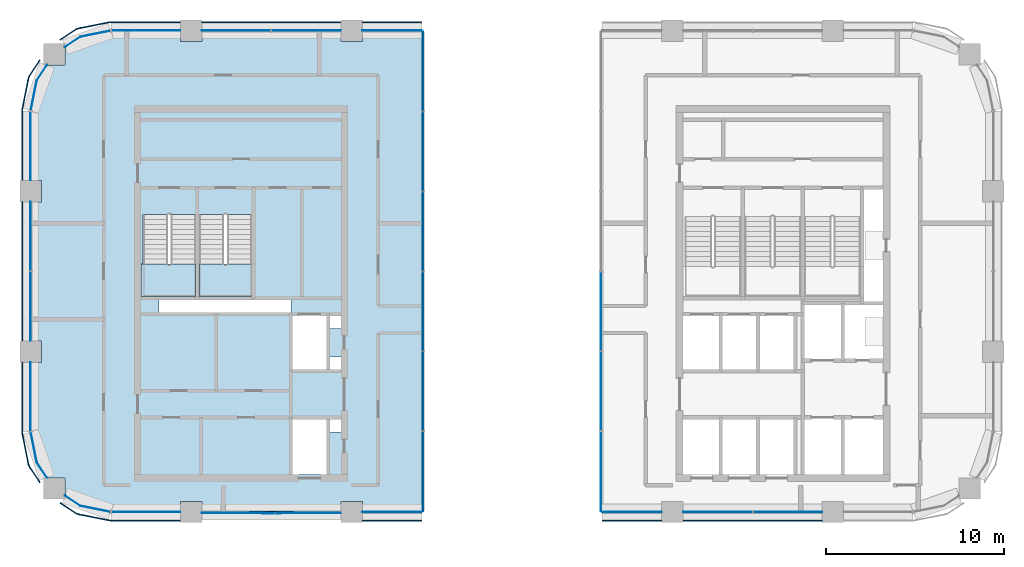
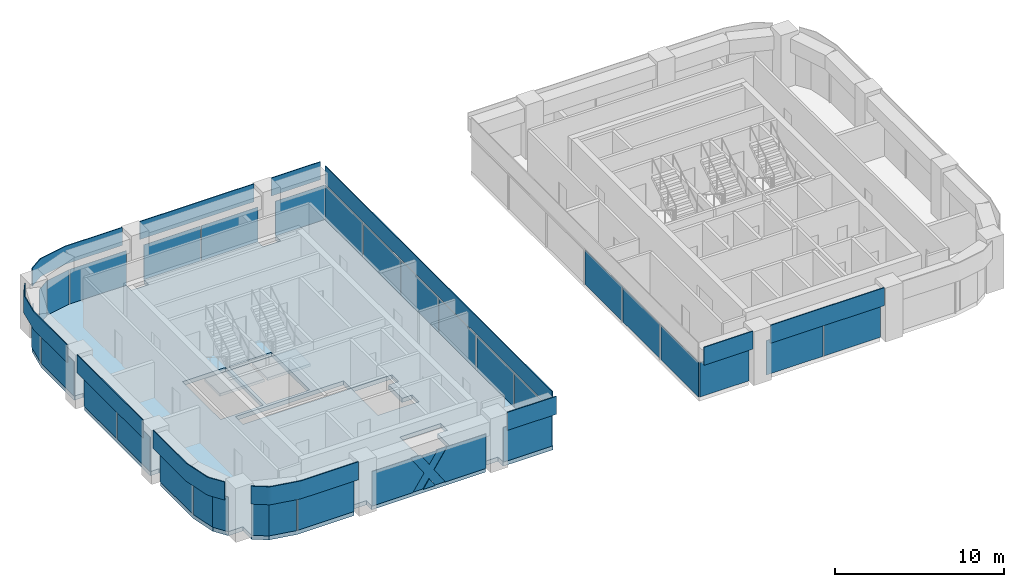
# One storey, part 4 of 12: 42 plates, 3 slabs, 15 elements without a shape of their own.
"""IFC4 building model written with IfcOpenShell, lengths in metres."""

from ifc_helpers import new_model, si_unit, direction, frame, origin, origin_2d, place, context, subcontext, project, spatial, polyline, rectangle, outline, extrude, material, layer, layer_set, type_object, element, aggregate, save


model = new_model("IFC4")

# Units and contexts
model_context = context("Model", 3, precision=1e-05, world=origin(), true_north=direction((0.0, 1.0)))
body_context = subcontext(model_context, "Body", "Model", "MODEL_VIEW")
ifc_project = project(units=[si_unit("LENGTHUNIT", "METRE"), si_unit("AREAUNIT", "SQUARE_METRE"), si_unit("VOLUMEUNIT", "CUBIC_METRE"), si_unit("PLANEANGLEUNIT", "RADIAN"), si_unit("MASSUNIT", "GRAM", prefix="KILO")], contexts=[model_context])

# Site, building, storey
site_placement = place(None, origin())
site = spatial("IfcSite", under=ifc_project, at=site_placement, CompositionType="ELEMENT")
building_placement = place(site_placement, origin())
building = spatial("IfcBuilding", under=site, at=building_placement, Name="Tessera Arch", CompositionType="ELEMENT")
storey_placement = place(building_placement, frame((0.0, 0.0, 207.199951171875)))
storey = spatial("IfcBuildingStorey", under=building, at=storey_placement, Name="L49", CompositionType="ELEMENT", Elevation=207.199951171875)

# Curtain wall, plate
ifc_material_1 = material(Name="CW1 curtain wall")
curtain_wall_type_1 = type_object("IfcCurtainWallType", Name="CW1 curtain wall", PredefinedType="NOTDEFINED", material=ifc_material_1)
curtain_wall_1_placement = place(storey_placement, origin())
curtain_wall_1 = element("IfcCurtainWall", 1, at=curtain_wall_1_placement, inside=storey, type_object=curtain_wall_type_1, Name="CW1 curtain wall S27.0/1 L49", PredefinedType="NOTDEFINED")
ifc_material_2 = material(Name="Clear low-e glass", Category="glass")
ifc_material_3 = material(Name="Clear low-e glass", Category="glass")
ifc_layer_1 = layer(ifc_material_3, 0.028076171875)
ifc_layer_set_1 = layer_set([ifc_layer_1], Name="CW1 glass panel")
plate_type_1 = type_object("IfcPlateType", Name="CW1 glass panel", PredefinedType="CURTAIN_PANEL", material=ifc_layer_set_1)
plate_1_placement = place(storey_placement, frame((20.27490234375, 27.0, 0.0), z_axis=(0.0, 0.0, 1.0), x_axis=(1.0, 0.0, 0.0)))
plate_1 = element("IfcPlate", 2, at=plate_1_placement, type_object=plate_type_1, material=ifc_material_2, Name="CW1 glass panel S27.0/1 1.1.1", PredefinedType="CURTAIN_PANEL", context=body_context, shape_type="SweptSolid", body=[
    extrude(rectangle(XDim=3.35009765625, YDim=0.028076171875, at=origin_2d()), origin(), (0.0, 0.0, 1.0), 2.5),
])

curtain_wall_2_placement = place(storey_placement, origin())
curtain_wall_2 = element("IfcCurtainWall", 3, at=curtain_wall_2_placement, inside=storey, type_object=curtain_wall_type_1, Name="CW1 curtain wall N54.0/0 L49", PredefinedType="NOTDEFINED")
plate_2_placement = place(storey_placement, frame((20.27490234375, 54.0, 0.0), z_axis=(0.0, 0.0, 1.0), x_axis=(-1.0, 0.0, 0.0)))
plate_2 = element("IfcPlate", 4, at=plate_2_placement, type_object=plate_type_1, material=ifc_material_2, Name="CW1 glass panel N54.0/0 1.1.1", PredefinedType="CURTAIN_PANEL", context=body_context, shape_type="SweptSolid", body=[
    extrude(rectangle(XDim=3.35009765625, YDim=0.028076171875, at=origin_2d()), origin(), (0.0, 0.0, 1.0), 2.5),
])

# Curtain wall, plates
curtain_wall_3_placement = place(storey_placement, origin())
curtain_wall_3 = element("IfcCurtainWall", 5, at=curtain_wall_3_placement, inside=storey, type_object=curtain_wall_type_1, Name="CW1 curtain wall N54.0/1 L49", PredefinedType="NOTDEFINED")
plate_3_placement = place(storey_placement, frame((15.465087890625, 54.0, 0.0), z_axis=(0.0, 0.0, 1.0), x_axis=(-1.0, 0.0, 0.0)))
plate_3 = element("IfcPlate", 6, at=plate_3_placement, type_object=plate_type_1, material=ifc_material_2, Name="CW1 glass panel N54.0/1 1.1.1", PredefinedType="CURTAIN_PANEL", context=body_context, shape_type="SweptSolid", body=[
    extrude(rectangle(XDim=3.8701171875, YDim=0.028076171875, at=origin_2d()), origin(), (0.0, 0.0, 1.0), 2.5),
])
plate_4_placement = place(storey_placement, frame((11.534912109375, 54.0, 0.0), z_axis=(0.0, 0.0, 1.0), x_axis=(-1.0, 0.0, 0.0)))
plate_4 = element("IfcPlate", 7, at=plate_4_placement, type_object=plate_type_1, material=ifc_material_2, Name="CW1 glass panel N54.0/1 1.2.1", PredefinedType="CURTAIN_PANEL", context=body_context, shape_type="SweptSolid", body=[
    extrude(rectangle(XDim=3.8701171875, YDim=0.028076171875, at=origin_2d()), origin(), (0.0, 0.0, 1.0), 2.5),
])

curtain_wall_4_placement = place(storey_placement, origin())
curtain_wall_4 = element("IfcCurtainWall", 8, at=curtain_wall_4_placement, inside=storey, type_object=curtain_wall_type_1, Name="CW1 curtain wall W0.27/1 L49", PredefinedType="NOTDEFINED")
plate_5_placement = place(storey_placement, frame((0.0, 42.465087890625, 0.0), z_axis=(0.0, 0.0, 1.0), x_axis=(0.0, -1.0, 0.0)))
plate_5 = element("IfcPlate", 9, at=plate_5_placement, type_object=plate_type_1, material=ifc_material_2, Name="CW1 glass panel W0.27/1 1.1.1", PredefinedType="CURTAIN_PANEL", context=body_context, shape_type="SweptSolid", body=[
    extrude(rectangle(XDim=3.8701171875, YDim=0.028076171875, at=origin_2d()), origin(), (0.0, 0.0, 1.0), 2.5),
])
plate_6_placement = place(storey_placement, frame((0.0, 38.534912109375, 0.0), z_axis=(0.0, 0.0, 1.0), x_axis=(0.0, -1.0, 0.0)))
plate_6 = element("IfcPlate", 10, at=plate_6_placement, type_object=plate_type_1, material=ifc_material_2, Name="CW1 glass panel W0.27/1 1.2.1", PredefinedType="CURTAIN_PANEL", context=body_context, shape_type="SweptSolid", body=[
    extrude(rectangle(XDim=3.8701171875, YDim=0.028076171875, at=origin_2d()), origin(), (0.0, 0.0, 1.0), 2.5),
])

# Curtain wall, plate
curtain_wall_5_placement = place(storey_placement, origin())
curtain_wall_5 = element("IfcCurtainWall", 11, at=curtain_wall_5_placement, inside=storey, type_object=curtain_wall_type_1, Name="CW1 curtain wall S27.32/0 L49", PredefinedType="NOTDEFINED")
plate_7_placement = place(storey_placement, frame((33.72509765625, 27.0, 0.0), z_axis=(0.0, 0.0, 1.0), x_axis=(1.0, 0.0, 0.0)))
plate_7 = element("IfcPlate", 12, at=plate_7_placement, type_object=plate_type_1, material=ifc_material_2, Name="CW1 glass panel S27.32/0 1.1.1", PredefinedType="CURTAIN_PANEL", context=body_context, shape_type="SweptSolid", body=[
    extrude(rectangle(XDim=3.35009765625, YDim=0.028076171875, at=origin_2d()), origin(), (0.0, 0.0, 1.0), 2.5),
])

# Curtain wall, plates
curtain_wall_6_placement = place(storey_placement, origin())
curtain_wall_6 = element("IfcCurtainWall", 13, at=curtain_wall_6_placement, inside=storey, type_object=curtain_wall_type_1, Name="CW1 curtain wall S27.32/1 L49", PredefinedType="NOTDEFINED")
plate_8_placement = place(storey_placement, frame((38.534912109375, 27.0, 0.0), z_axis=(0.0, 0.0, 1.0), x_axis=(1.0, 0.0, 0.0)))
plate_8 = element("IfcPlate", 14, at=plate_8_placement, type_object=plate_type_1, material=ifc_material_2, Name="CW1 glass panel S27.32/1 1.1.1", PredefinedType="CURTAIN_PANEL", context=body_context, shape_type="SweptSolid", body=[
    extrude(rectangle(XDim=3.8701171875, YDim=0.028076171875, at=origin_2d()), origin(), (0.0, 0.0, 1.0), 2.5),
])
plate_9_placement = place(storey_placement, frame((42.465087890625, 27.0, 0.0), z_axis=(0.0, 0.0, 1.0), x_axis=(1.0, 0.0, 0.0)))
plate_9 = element("IfcPlate", 15, at=plate_9_placement, type_object=plate_type_1, material=ifc_material_2, Name="CW1 glass panel S27.32/1 1.2.1", PredefinedType="CURTAIN_PANEL", context=body_context, shape_type="SweptSolid", body=[
    extrude(rectangle(XDim=3.8701171875, YDim=0.028076171875, at=origin_2d()), origin(), (0.0, 0.0, 1.0), 2.5),
])

# Plate
ifc_material_4 = material(Name="Pale anodised aluminium panel", Category="aluminium")
ifc_layer_2 = layer(ifc_material_4, 0.06005859375)
ifc_layer_set_2 = layer_set([ifc_layer_2], Name="CW1 spandrel panel")
plate_type_2 = type_object("IfcPlateType", Name="CW1 spandrel panel", PredefinedType="CURTAIN_PANEL", material=ifc_layer_set_2)
plate_10_placement = place(storey_placement, frame((20.27490234375, 26.52001953125, 2.60009765625), z_axis=(0.0, 0.0, 1.0), x_axis=(1.0, 0.0, 0.0)))
plate_10 = element("IfcPlate", 16, at=plate_10_placement, type_object=plate_type_2, Name="CW1 spandrel panel S27.0/1", PredefinedType="CURTAIN_PANEL", context=body_context, shape_type="SweptSolid", body=[
    extrude(rectangle(XDim=3.35009765625, YDim=0.06005859375, at=origin_2d()), origin(), (0.0, 0.0, 1.0), 1.300048828125),
])

aggregate(curtain_wall_1, [plate_1, plate_10])

plate_11_placement = place(storey_placement, frame((20.27490234375, 54.47998046875, 2.60009765625), z_axis=(0.0, 0.0, 1.0), x_axis=(-1.0, 0.0, 0.0)))
plate_11 = element("IfcPlate", 17, at=plate_11_placement, type_object=plate_type_2, Name="CW1 spandrel panel N54.0/0", PredefinedType="CURTAIN_PANEL", context=body_context, shape_type="SweptSolid", body=[
    extrude(rectangle(XDim=3.35009765625, YDim=0.06005859375, at=origin_2d()), origin(), (0.0, 0.0, 1.0), 1.300048828125),
])

aggregate(curtain_wall_2, [plate_2, plate_11])

plate_12_placement = place(storey_placement, frame((13.5, 54.47998046875, 2.60009765625), z_axis=(0.0, 0.0, 1.0), x_axis=(-1.0, 0.0, 0.0)))
plate_12 = element("IfcPlate", 18, at=plate_12_placement, type_object=plate_type_2, Name="CW1 spandrel panel N54.0/1", PredefinedType="CURTAIN_PANEL", context=body_context, shape_type="SweptSolid", body=[
    extrude(rectangle(XDim=7.800048828125, YDim=0.06005859375, at=origin_2d()), origin(), (0.0, 0.0, 1.0), 1.300048828125),
])

aggregate(curtain_wall_3, [plate_3, plate_4, plate_12])

plate_13_placement = place(storey_placement, frame((-0.47998046875, 40.5, 2.60009765625), z_axis=(0.0, 0.0, 1.0), x_axis=(0.0, -1.0, 0.0)))
plate_13 = element("IfcPlate", 19, at=plate_13_placement, type_object=plate_type_2, Name="CW1 spandrel panel W0.27/1", PredefinedType="CURTAIN_PANEL", context=body_context, shape_type="SweptSolid", body=[
    extrude(rectangle(XDim=7.800048828125, YDim=0.06005859375, at=origin_2d()), origin(), (0.0, 0.0, 1.0), 1.300048828125),
])

aggregate(curtain_wall_4, [plate_5, plate_6, plate_13])

plate_14_placement = place(storey_placement, frame((33.72509765625, 26.52001953125, 2.60009765625), z_axis=(0.0, 0.0, 1.0), x_axis=(1.0, 0.0, 0.0)))
plate_14 = element("IfcPlate", 20, at=plate_14_placement, type_object=plate_type_2, Name="CW1 spandrel panel S27.32/0", PredefinedType="CURTAIN_PANEL", context=body_context, shape_type="SweptSolid", body=[
    extrude(rectangle(XDim=3.35009765625, YDim=0.06005859375, at=origin_2d()), origin(), (0.0, 0.0, 1.0), 1.300048828125),
])

aggregate(curtain_wall_5, [plate_7, plate_14])

plate_15_placement = place(storey_placement, frame((40.5, 26.52001953125, 2.60009765625), z_axis=(0.0, 0.0, 1.0), x_axis=(1.0, 0.0, 0.0)))
plate_15 = element("IfcPlate", 21, at=plate_15_placement, type_object=plate_type_2, Name="CW1 spandrel panel S27.32/1", PredefinedType="CURTAIN_PANEL", context=body_context, shape_type="SweptSolid", body=[
    extrude(rectangle(XDim=7.800048828125, YDim=0.06005859375, at=origin_2d()), origin(), (0.0, 0.0, 1.0), 1.300048828125),
])

aggregate(curtain_wall_6, [plate_8, plate_9, plate_15])

# Curtain wall, plates
ifc_material_5 = material(Name="CW2 curtain wall")
curtain_wall_type_2 = type_object("IfcCurtainWallType", Name="CW2 curtain wall", PredefinedType="NOTDEFINED", material=ifc_material_5)
curtain_wall_7_placement = place(storey_placement, origin())
curtain_wall_7 = element("IfcCurtainWall", 22, at=curtain_wall_7_placement, inside=storey, type_object=curtain_wall_type_2, Name="CW2 curtain wall N54.0/2 L49", PredefinedType="NOTDEFINED")
ifc_material_6 = material(Name="Clear low-e glass", Category="glass")
ifc_layer_3 = layer(ifc_material_6, 0.028076171875)
ifc_layer_set_3 = layer_set([ifc_layer_3], Name="CW2 glass panel")
plate_type_3 = type_object("IfcPlateType", Name="CW2 glass panel", PredefinedType="CURTAIN_PANEL", material=ifc_layer_set_3)
plate_16_placement = place(storey_placement, frame((6.469970703125, 54.0, 0.0), z_axis=(0.0, 0.0, 1.0), x_axis=(-1.0, 0.0, 0.0)))
plate_16 = element("IfcPlate", 23, at=plate_16_placement, type_object=plate_type_3, material=ifc_material_2, Name="CW2 glass panel N54.0/2 1.1", PredefinedType="CURTAIN_PANEL", context=body_context, shape_type="SweptSolid", body=[
    extrude(rectangle(XDim=3.860107421875, YDim=0.028076171875, at=origin_2d()), origin(), (0.0, 0.0, 1.0), 2.5),
])
plate_17_placement = place(storey_placement, origin())
plate_17 = element("IfcPlate", 24, at=plate_17_placement, type_object=plate_type_3, material=ifc_material_2, Name="CW2 curved glass panel N54.0/2 2.1", PredefinedType="CURTAIN_PANEL", context=body_context, shape_type="SweptSolid", body=[
    extrude(outline(polyline([(2.783447265625, 53.644287109375), (4.46337890625, 53.978515625), (4.4580078125, 54.005859375), (2.7724609375, 53.670654296875), (1.91015625, 53.094482421875), (1.92578125, 53.0712890625), (2.783447265625, 53.644287109375)])), origin(), (0.0, 0.0, 1.0), 2.5),
])

curtain_wall_8_placement = place(storey_placement, origin())
curtain_wall_8 = element("IfcCurtainWall", 25, at=curtain_wall_8_placement, inside=storey, type_object=curtain_wall_type_2, Name="CW2 curtain wall W0.27/0 L49", PredefinedType="NOTDEFINED")
plate_18_placement = place(storey_placement, frame((0.0, 47.530029296875, 0.0), z_axis=(0.0, 0.0, 1.0), x_axis=(0.0, -1.0, 0.0)))
plate_18 = element("IfcPlate", 26, at=plate_18_placement, type_object=plate_type_3, material=ifc_material_2, Name="CW2 glass panel W0.27/0 1.1", PredefinedType="CURTAIN_PANEL", context=body_context, shape_type="SweptSolid", body=[
    extrude(rectangle(XDim=3.860107421875, YDim=0.028076171875, at=origin_2d()), origin(), (0.0, 0.0, 1.0), 2.5),
])
plate_19_placement = place(storey_placement, origin())
plate_19 = element("IfcPlate", 27, at=plate_19_placement, type_object=plate_type_3, material=ifc_material_2, Name="CW2 curved glass panel W0.27/0 2.1", PredefinedType="CURTAIN_PANEL", context=body_context, shape_type="SweptSolid", body=[
    extrude(outline(polyline([(0.355712890625, 51.216552734375), (0.9287109375, 52.07421875), (0.905517578125, 52.08984375), (0.329345703125, 51.2275390625), (-0.005859375, 49.5419921875), (0.021484375, 49.53662109375), (0.355712890625, 51.216552734375)])), origin(), (0.0, 0.0, 1.0), 2.5),
])

curtain_wall_9_placement = place(storey_placement, origin())
curtain_wall_9 = element("IfcCurtainWall", 28, at=curtain_wall_9_placement, inside=storey, type_object=curtain_wall_type_2, Name="CW2 curtain wall W0.27/2 L49", PredefinedType="NOTDEFINED")
plate_20_placement = place(storey_placement, frame((0.0, 33.469970703125, 0.0), z_axis=(0.0, 0.0, 1.0), x_axis=(0.0, -1.0, 0.0)))
plate_20 = element("IfcPlate", 29, at=plate_20_placement, type_object=plate_type_3, material=ifc_material_2, Name="CW2 glass panel W0.27/2 1.1", PredefinedType="CURTAIN_PANEL", context=body_context, shape_type="SweptSolid", body=[
    extrude(rectangle(XDim=3.860107421875, YDim=0.028076171875, at=origin_2d()), origin(), (0.0, 0.0, 1.0), 2.5),
])
plate_21_placement = place(storey_placement, origin())
plate_21 = element("IfcPlate", 30, at=plate_21_placement, type_object=plate_type_3, material=ifc_material_2, Name="CW2 curved glass panel W0.27/2 2.1", PredefinedType="CURTAIN_PANEL", context=body_context, shape_type="SweptSolid", body=[
    extrude(outline(polyline([(0.355712890625, 29.783447265625), (0.021484375, 31.46337890625), (-0.005859375, 31.4580078125), (0.329345703125, 29.7724609375), (0.905517578125, 28.91015625), (0.9287109375, 28.92578125), (0.355712890625, 29.783447265625)])), origin(), (0.0, 0.0, 1.0), 2.5),
])

curtain_wall_10_placement = place(storey_placement, origin())
curtain_wall_10 = element("IfcCurtainWall", 31, at=curtain_wall_10_placement, inside=storey, type_object=curtain_wall_type_2, Name="CW2 curtain wall S27.0/2 L49", PredefinedType="NOTDEFINED")
plate_22_placement = place(storey_placement, frame((6.469970703125, 27.0, 0.0), z_axis=(0.0, 0.0, 1.0), x_axis=(1.0, 0.0, 0.0)))
plate_22 = element("IfcPlate", 32, at=plate_22_placement, type_object=plate_type_3, material=ifc_material_2, Name="CW2 glass panel S27.0/2 1.1", PredefinedType="CURTAIN_PANEL", context=body_context, shape_type="SweptSolid", body=[
    extrude(rectangle(XDim=3.860107421875, YDim=0.028076171875, at=origin_2d()), origin(), (0.0, 0.0, 1.0), 2.5),
])
plate_23_placement = place(storey_placement, origin())
plate_23 = element("IfcPlate", 33, at=plate_23_placement, type_object=plate_type_3, material=ifc_material_2, Name="CW2 curved glass panel S27.0/2 2.1", PredefinedType="CURTAIN_PANEL", context=body_context, shape_type="SweptSolid", body=[
    extrude(outline(polyline([(2.783447265625, 27.355712890625), (1.92578125, 27.9287109375), (1.91015625, 27.905517578125), (2.7724609375, 27.329345703125), (4.4580078125, 26.994140625), (4.46337890625, 27.021484375), (2.783447265625, 27.355712890625)])), origin(), (0.0, 0.0, 1.0), 2.5),
])

# Plate
ifc_material_7 = material(Name="Pale anodised aluminium panel", Category="aluminium")
ifc_layer_4 = layer(ifc_material_7, 0.06005859375)
ifc_layer_set_4 = layer_set([ifc_layer_4], Name="CW2 spandrel panel")
plate_type_4 = type_object("IfcPlateType", Name="CW2 spandrel panel", PredefinedType="CURTAIN_PANEL", material=ifc_layer_set_4)
plate_24_placement = place(storey_placement, frame((0.0, 0.0, 2.60009765625)))
plate_24 = element("IfcPlate", 34, at=plate_24_placement, type_object=plate_type_4, Name="CW2 spandrel panel N54.0/2", PredefinedType="CURTAIN_PANEL", context=body_context, shape_type="SweptSolid", body=[
    extrude(outline(polyline([(4.500732421875, 54.449951171875), (8.39990234375, 54.449951171875), (8.39990234375, 54.510009765625), (4.499267578125, 54.510009765625), (4.449951171875, 54.507568359375), (4.401123046875, 54.500244140625), (2.677734375, 54.157470703125), (2.6298828125, 54.1455078125), (2.582763671875, 54.128662109375), (2.537353515625, 54.107421875), (2.4951171875, 54.08203125), (1.634765625, 53.5068359375), (1.66796875, 53.45703125), (2.52734375, 54.03125), (2.565673828125, 54.054443359375), (2.605712890625, 54.0732421875), (2.647216796875, 54.088134765625), (2.69091796875, 54.09912109375), (4.411376953125, 54.441162109375), (4.455810546875, 54.44775390625), (4.500732421875, 54.449951171875)])), origin(), (0.0, 0.0, 1.0), 1.300048828125),
])

aggregate(curtain_wall_7, [plate_16, plate_17, plate_24])

plate_25_placement = place(storey_placement, frame((0.0, 0.0, 2.60009765625)))
plate_25 = element("IfcPlate", 35, at=plate_25_placement, type_object=plate_type_4, Name="CW2 spandrel panel W0.27/0", PredefinedType="CURTAIN_PANEL", context=body_context, shape_type="SweptSolid", body=[
    extrude(outline(polyline([(-0.03125, 51.47265625), (0.54296875, 52.33203125), (0.4931640625, 52.365234375), (-0.08203125, 51.5048828125), (-0.107421875, 51.462646484375), (-0.128662109375, 51.417236328125), (-0.1455078125, 51.3701171875), (-0.157470703125, 51.322265625), (-0.500244140625, 49.598876953125), (-0.507568359375, 49.550048828125), (-0.510009765625, 49.500732421875), (-0.510009765625, 45.60009765625), (-0.449951171875, 45.60009765625), (-0.449951171875, 49.499267578125), (-0.44775390625, 49.544189453125), (-0.441162109375, 49.588623046875), (-0.09912109375, 51.30908203125), (-0.088134765625, 51.352783203125), (-0.0732421875, 51.394287109375), (-0.054443359375, 51.434326171875), (-0.03125, 51.47265625)])), origin(), (0.0, 0.0, 1.0), 1.300048828125),
])

aggregate(curtain_wall_8, [plate_18, plate_19, plate_25])

plate_26_placement = place(storey_placement, frame((0.0, 0.0, 2.60009765625)))
plate_26 = element("IfcPlate", 36, at=plate_26_placement, type_object=plate_type_4, Name="CW2 spandrel panel W0.27/2", PredefinedType="CURTAIN_PANEL", context=body_context, shape_type="SweptSolid", body=[
    extrude(outline(polyline([(-0.449951171875, 31.500732421875), (-0.449951171875, 35.39990234375), (-0.510009765625, 35.39990234375), (-0.510009765625, 31.499267578125), (-0.507568359375, 31.449951171875), (-0.500244140625, 31.401123046875), (-0.157470703125, 29.677734375), (-0.1455078125, 29.6298828125), (-0.128662109375, 29.582763671875), (-0.107421875, 29.537353515625), (-0.08203125, 29.4951171875), (0.4931640625, 28.634765625), (0.54296875, 28.66796875), (-0.03125, 29.52734375), (-0.054443359375, 29.565673828125), (-0.0732421875, 29.605712890625), (-0.088134765625, 29.647216796875), (-0.09912109375, 29.69091796875), (-0.441162109375, 31.411376953125), (-0.44775390625, 31.455810546875), (-0.449951171875, 31.500732421875)])), origin(), (0.0, 0.0, 1.0), 1.300048828125),
])

aggregate(curtain_wall_9, [plate_20, plate_21, plate_26])

plate_27_placement = place(storey_placement, frame((0.0, 0.0, 2.60009765625)))
plate_27 = element("IfcPlate", 37, at=plate_27_placement, type_object=plate_type_4, Name="CW2 spandrel panel S27.0/2", PredefinedType="CURTAIN_PANEL", context=body_context, shape_type="SweptSolid", body=[
    extrude(outline(polyline([(2.52734375, 26.96875), (1.66796875, 27.54296875), (1.634765625, 27.4931640625), (2.4951171875, 26.91796875), (2.537353515625, 26.892578125), (2.582763671875, 26.871337890625), (2.6298828125, 26.8544921875), (2.677734375, 26.842529296875), (4.401123046875, 26.499755859375), (4.449951171875, 26.492431640625), (4.499267578125, 26.489990234375), (8.39990234375, 26.489990234375), (8.39990234375, 26.550048828125), (4.500732421875, 26.550048828125), (4.455810546875, 26.55224609375), (4.411376953125, 26.558837890625), (2.69091796875, 26.90087890625), (2.647216796875, 26.911865234375), (2.605712890625, 26.9267578125), (2.565673828125, 26.945556640625), (2.52734375, 26.96875)])), origin(), (0.0, 0.0, 1.0), 1.300048828125),
])

aggregate(curtain_wall_10, [plate_22, plate_23, plate_27])

# Curtain wall, plates
ifc_material_8 = material(Name="CW3 curtain wall")
curtain_wall_type_3 = type_object("IfcCurtainWallType", Name="CW3 curtain wall", PredefinedType="NOTDEFINED", material=ifc_material_8)
curtain_wall_11_placement = place(storey_placement, origin())
curtain_wall_11 = element("IfcCurtainWall", 38, at=curtain_wall_11_placement, inside=storey, type_object=curtain_wall_type_3, Name="CW3 curtain wall S27.0/0 L49", PredefinedType="NOTDEFINED")
ifc_material_9 = material(Name="Pale anodised aluminium panel", Category="aluminium")
ifc_layer_5 = layer(ifc_material_9, 0.06005859375)
ifc_layer_set_5 = layer_set([ifc_layer_5], Name="CW3 diagonal panel")
plate_type_5 = type_object("IfcPlateType", Name="CW3 diagonal panel", PredefinedType="CURTAIN_PANEL", material=ifc_layer_set_5)
plate_28_placement = place(storey_placement, frame((14.746826171875, 26.969970703125, 2.5), z_axis=(0.0, -1.0, 0.0), x_axis=(-1.0, 0.0, 0.0)))
plate_28 = element("IfcPlate", 39, at=plate_28_placement, type_object=plate_type_5, Name="CW3 diagonal panel S27.0/0 1", PredefinedType="CURTAIN_PANEL", context=body_context, shape_type="SweptSolid", body=[
    extrude(outline(polyline([(0.0, 0.0), (0.693603515625, 0.0), (1.246826171875, 0.829833984375), (1.800048828125, 0.0), (2.49365234375, 0.0), (1.593505859375, 1.349853515625), (2.3603515625, 2.5), (1.666748046875, 2.5), (1.246826171875, 1.8701171875), (0.826904296875, 2.5), (0.13330078125, 2.5), (0.900146484375, 1.349853515625), (0.0, 0.0)])), origin(), (0.0, 0.0, -1.0), 0.06005859375),
])
ifc_material_10 = material(Name="Clear low-e glass", Category="glass")
ifc_layer_6 = layer(ifc_material_10, 0.028076171875)
ifc_layer_set_6 = layer_set([ifc_layer_6], Name="CW3 glass panel")
plate_type_6 = type_object("IfcPlateType", Name="CW3 glass panel", PredefinedType="CURTAIN_PANEL", material=ifc_layer_set_6)
plate_29_placement = place(storey_placement, frame((9.60009765625, 26.94189453125, 0.0), z_axis=(0.0, -1.0, 0.0), x_axis=(1.0, 0.0, 0.0)))
plate_29 = element("IfcPlate", 40, at=plate_29_placement, type_object=plate_type_6, material=ifc_material_2, Name="CW3 triangulated glass panel S27.0/0 1", PredefinedType="CURTAIN_PANEL", context=body_context, shape_type="SweptSolid", body=[
    extrude(outline(polyline([(0.0, 0.0), (2.786376953125, 0.0), (3.55322265625, 1.150146484375), (2.653076171875, 2.5), (0.0, 2.5), (0.0, 0.0)])), origin(), (0.0, 0.0, -1.0), 0.028076171875),
])
plate_30_placement = place(storey_placement, frame((13.080078125, 26.9140625, 0.0), z_axis=(0.0, -1.0, 0.0), x_axis=(1.0, 0.0, 0.0)))
plate_30 = element("IfcPlate", 41, at=plate_30_placement, type_object=plate_type_6, material=ifc_material_2, Name="CW3 triangulated glass panel S27.0/0 2", PredefinedType="CURTAIN_PANEL", context=body_context, shape_type="SweptSolid", body=[
    extrude(outline(polyline([(0.0, 0.0), (0.83984375, 0.0), (0.419921875, 0.6298828125), (0.0, 0.0)])), origin(), (0.0, 0.0, -1.0), 0.028076171875),
])
plate_31_placement = place(storey_placement, frame((14.05322265625, 26.9140625, 2.5), z_axis=(0.0, -1.0, 0.0), x_axis=(-1.0, 0.0, 0.0)))
plate_31 = element("IfcPlate", 42, at=plate_31_placement, type_object=plate_type_6, material=ifc_material_2, Name="CW3 triangulated glass panel S27.0/0 3", PredefinedType="CURTAIN_PANEL", context=body_context, shape_type="SweptSolid", body=[
    extrude(outline(polyline([(0.0, 0.0), (1.1064453125, 0.0), (0.55322265625, 0.829833984375), (0.0, 0.0)])), origin(), (0.0, 0.0, -1.0), 0.028076171875),
])
plate_32_placement = place(storey_placement, frame((17.39990234375, 26.94189453125, 2.5), z_axis=(0.0, -1.0, 0.0), x_axis=(-1.0, 0.0, 0.0)))
plate_32 = element("IfcPlate", 43, at=plate_32_placement, type_object=plate_type_6, material=ifc_material_2, Name="CW3 triangulated glass panel S27.0/0 4", PredefinedType="CURTAIN_PANEL", context=body_context, shape_type="SweptSolid", body=[
    extrude(outline(polyline([(0.0, 0.0), (2.653076171875, 0.0), (3.55322265625, 1.349853515625), (2.786376953125, 2.5), (0.0, 2.5), (0.0, 0.0)])), origin(), (0.0, 0.0, -1.0), 0.028076171875),
])
aggregate(curtain_wall_11, [plate_29, plate_30, plate_31, plate_32, plate_28])

ifc_material_11 = material(Name="CW5 curtain wall")
curtain_wall_type_4 = type_object("IfcCurtainWallType", Name="CW5 curtain wall", PredefinedType="NOTDEFINED", material=ifc_material_11)
curtain_wall_12_placement = place(storey_placement, origin())
curtain_wall_12 = element("IfcCurtainWall", 44, at=curtain_wall_12_placement, inside=storey, type_object=curtain_wall_type_4, Name="CW5 curtain wall E22.27/0 L49", PredefinedType="NOTDEFINED")
ifc_material_12 = material(Name="Clear low-e glass", Category="glass")
ifc_layer_7 = layer(ifc_material_12, 0.028076171875)
ifc_layer_set_7 = layer_set([ifc_layer_7], Name="CW5 glass panel")
plate_type_7 = type_object("IfcPlateType", Name="CW5 glass panel", PredefinedType="CURTAIN_PANEL", material=ifc_layer_set_7)
plate_33_placement = place(storey_placement, frame((22.0, 29.271728515625, 0.0), z_axis=(0.0, 0.0, 1.0), x_axis=(0.0, 1.0, 0.0)))
plate_33 = element("IfcPlate", 45, at=plate_33_placement, type_object=plate_type_7, material=ifc_material_2, Name="CW5 glass panel E22.27/0 1.1.1", PredefinedType="CURTAIN_PANEL", context=body_context, shape_type="SweptSolid", body=[
    extrude(rectangle(XDim=4.443359375, YDim=0.028076171875, at=origin_2d()), origin(), (0.0, 0.0, 1.0), 2.5),
])
plate_34_placement = place(storey_placement, frame((22.0, 33.77490234375, 0.0), z_axis=(0.0, 0.0, 1.0), x_axis=(0.0, 1.0, 0.0)))
plate_34 = element("IfcPlate", 46, at=plate_34_placement, type_object=plate_type_7, material=ifc_material_2, Name="CW5 glass panel E22.27/0 1.2.1", PredefinedType="CURTAIN_PANEL", context=body_context, shape_type="SweptSolid", body=[
    extrude(rectangle(XDim=4.4033203125, YDim=0.028076171875, at=origin_2d()), origin(), (0.0, 0.0, 1.0), 2.5),
])
plate_35_placement = place(storey_placement, frame((22.0, 38.25830078125, 0.0), z_axis=(0.0, 0.0, 1.0), x_axis=(0.0, 1.0, 0.0)))
plate_35 = element("IfcPlate", 47, at=plate_35_placement, type_object=plate_type_7, material=ifc_material_2, Name="CW5 glass panel E22.27/0 1.3.1", PredefinedType="CURTAIN_PANEL", context=body_context, shape_type="SweptSolid", body=[
    extrude(rectangle(XDim=4.4033203125, YDim=0.028076171875, at=origin_2d()), origin(), (0.0, 0.0, 1.0), 2.5),
])
plate_36_placement = place(storey_placement, frame((22.0, 42.74169921875, 0.0), z_axis=(0.0, 0.0, 1.0), x_axis=(0.0, 1.0, 0.0)))
plate_36 = element("IfcPlate", 48, at=plate_36_placement, type_object=plate_type_7, material=ifc_material_2, Name="CW5 glass panel E22.27/0 1.4.1", PredefinedType="CURTAIN_PANEL", context=body_context, shape_type="SweptSolid", body=[
    extrude(rectangle(XDim=4.4033203125, YDim=0.028076171875, at=origin_2d()), origin(), (0.0, 0.0, 1.0), 2.5),
])
plate_37_placement = place(storey_placement, frame((22.0, 47.22509765625, 0.0), z_axis=(0.0, 0.0, 1.0), x_axis=(0.0, 1.0, 0.0)))
plate_37 = element("IfcPlate", 49, at=plate_37_placement, type_object=plate_type_7, material=ifc_material_2, Name="CW5 glass panel E22.27/0 1.5.1", PredefinedType="CURTAIN_PANEL", context=body_context, shape_type="SweptSolid", body=[
    extrude(rectangle(XDim=4.4033203125, YDim=0.028076171875, at=origin_2d()), origin(), (0.0, 0.0, 1.0), 2.5),
])
plate_38_placement = place(storey_placement, frame((22.0, 51.728271484375, 0.0), z_axis=(0.0, 0.0, 1.0), x_axis=(0.0, 1.0, 0.0)))
plate_38 = element("IfcPlate", 50, at=plate_38_placement, type_object=plate_type_7, material=ifc_material_2, Name="CW5 glass panel E22.27/0 1.6.1", PredefinedType="CURTAIN_PANEL", context=body_context, shape_type="SweptSolid", body=[
    extrude(rectangle(XDim=4.443359375, YDim=0.028076171875, at=origin_2d()), origin(), (0.0, 0.0, 1.0), 2.5),
])

curtain_wall_13_placement = place(storey_placement, origin())
curtain_wall_13 = element("IfcCurtainWall", 51, at=curtain_wall_13_placement, inside=storey, type_object=curtain_wall_type_4, Name="CW5 curtain wall W32.27/0 L49", PredefinedType="NOTDEFINED")
plate_39_placement = place(storey_placement, frame((32.0, 38.25830078125, 0.0), z_axis=(0.0, 0.0, 1.0), x_axis=(0.0, -1.0, 0.0)))
plate_39 = element("IfcPlate", 52, at=plate_39_placement, type_object=plate_type_7, material=ifc_material_2, Name="CW5 glass panel W32.27/0 1.4.1", PredefinedType="CURTAIN_PANEL", context=body_context, shape_type="SweptSolid", body=[
    extrude(rectangle(XDim=4.4033203125, YDim=0.028076171875, at=origin_2d()), origin(), (0.0, 0.0, 1.0), 2.5),
])
plate_40_placement = place(storey_placement, frame((32.0, 33.77490234375, 0.0), z_axis=(0.0, 0.0, 1.0), x_axis=(0.0, -1.0, 0.0)))
plate_40 = element("IfcPlate", 53, at=plate_40_placement, type_object=plate_type_7, material=ifc_material_2, Name="CW5 glass panel W32.27/0 1.5.1", PredefinedType="CURTAIN_PANEL", context=body_context, shape_type="SweptSolid", body=[
    extrude(rectangle(XDim=4.4033203125, YDim=0.028076171875, at=origin_2d()), origin(), (0.0, 0.0, 1.0), 2.5),
])
plate_41_placement = place(storey_placement, frame((32.0, 29.271728515625, 0.0), z_axis=(0.0, 0.0, 1.0), x_axis=(0.0, -1.0, 0.0)))
plate_41 = element("IfcPlate", 54, at=plate_41_placement, type_object=plate_type_7, material=ifc_material_2, Name="CW5 glass panel W32.27/0 1.6.1", PredefinedType="CURTAIN_PANEL", context=body_context, shape_type="SweptSolid", body=[
    extrude(rectangle(XDim=4.443359375, YDim=0.028076171875, at=origin_2d()), origin(), (0.0, 0.0, 1.0), 2.5),
])
aggregate(curtain_wall_13, [plate_39, plate_40, plate_41])

# Plate
ifc_material_13 = material(Name="Pale anodised aluminium panel", Category="aluminium")
ifc_layer_8 = layer(ifc_material_13, 0.06005859375)
ifc_layer_set_8 = layer_set([ifc_layer_8], Name="CW5 spandrel panel")
plate_type_8 = type_object("IfcPlateType", Name="CW5 spandrel panel", PredefinedType="CURTAIN_PANEL", material=ifc_layer_set_8)
plate_42_placement = place(storey_placement, frame((22.0, 40.5, 2.60009765625), z_axis=(0.0, 0.0, 1.0), x_axis=(0.0, 1.0, 0.0)))
plate_42 = element("IfcPlate", 55, at=plate_42_placement, type_object=plate_type_8, Name="CW5 spandrel panel E22.27/0", PredefinedType="CURTAIN_PANEL", context=body_context, shape_type="SweptSolid", body=[
    extrude(rectangle(XDim=26.89990234375, YDim=0.06005859375, at=origin_2d()), origin(), (0.0, 0.0, 1.0), 1.300048828125),
])

aggregate(curtain_wall_12, [plate_33, plate_34, plate_35, plate_36, plate_37, plate_38, plate_42])

# Slab
ifc_material_14 = material(Name="Concrete C40/50", Category="concrete")
ifc_layer_9 = layer(ifc_material_14, 0.300048828125)
ifc_layer_set_9 = layer_set([ifc_layer_9], Name="Floor slab 300 Concrete C40/50")
slab_type_1 = type_object("IfcSlabType", Name="Floor slab 300 Concrete C40/50", PredefinedType="FLOOR", material=ifc_layer_set_9)
slab_1_placement = place(storey_placement, frame((0.0, 0.0, -0.300048828125)))
element("IfcSlab", 56, at=slab_1_placement, inside=storey, type_object=slab_type_1, Name="Floor slab L49 1", PredefinedType="FLOOR", context=body_context, shape_type="SweptSolid", body=[
    extrude(outline(polyline([(1.91796875, 27.9169921875), (1.91796875, 28.91796875), (0.9169921875, 28.91796875), (0.342529296875, 29.77783203125), (0.0, 31.5), (0.0, 35.39990234375), (0.60009765625, 35.39990234375), (0.60009765625, 36.60009765625), (0.0, 36.60009765625), (0.0, 44.39990234375), (0.60009765625, 44.39990234375), (0.60009765625, 45.60009765625), (0.0, 45.60009765625), (0.0, 49.5), (0.342529296875, 51.22216796875), (0.9169921875, 52.08203125), (1.91796875, 52.08203125), (1.91796875, 53.0830078125), (2.77783203125, 53.657470703125), (4.5, 54.0), (8.39990234375, 54.0), (8.39990234375, 53.39990234375), (9.60009765625, 53.39990234375), (9.60009765625, 54.0), (17.39990234375, 54.0), (17.39990234375, 53.39990234375), (18.60009765625, 53.39990234375), (18.60009765625, 54.0), (22.0, 54.0), (22.0, 27.0), (18.60009765625, 27.0), (18.60009765625, 27.60009765625), (17.39990234375, 27.60009765625), (17.39990234375, 27.0), (9.60009765625, 27.0), (9.60009765625, 27.60009765625), (8.39990234375, 27.60009765625), (8.39990234375, 27.0), (4.5, 27.0), (2.77783203125, 27.342529296875), (1.91796875, 27.9169921875)]), holes=[polyline([(14.60009765625, 29.10009765625), (16.699951171875, 29.10009765625), (16.699951171875, 31.5), (17.39990234375, 31.5), (17.39990234375, 32.300048828125), (16.699951171875, 32.300048828125), (14.60009765625, 32.300048828125), (14.60009765625, 29.10009765625)]), polyline([(17.39990234375, 35.699951171875), (16.699951171875, 35.699951171875), (16.699951171875, 37.300048828125), (17.39990234375, 37.300048828125), (17.39990234375, 38.10009765625), (16.699951171875, 38.10009765625), (14.60498046875, 38.10009765625), (14.60498046875, 38.10498046875), (14.60009765625, 38.10498046875), (14.60009765625, 39.0), (7.199951171875, 39.0), (7.199951171875, 38.10009765625), (14.594970703125, 38.10009765625), (14.594970703125, 38.094970703125), (14.60009765625, 38.094970703125), (14.60009765625, 34.89990234375), (16.699951171875, 34.89990234375), (17.39990234375, 34.89990234375), (17.39990234375, 35.699951171875)]), polyline([(6.300048828125, 43.68994140625), (6.300048828125, 39.199951171875), (9.25, 39.199951171875), (9.25, 43.68994140625), (7.85009765625, 43.68994140625), (7.85009765625, 43.699951171875), (7.699951171875, 43.699951171875), (7.699951171875, 43.68994140625), (6.300048828125, 43.68994140625)]), polyline([(9.449951171875, 43.68994140625), (9.449951171875, 39.199951171875), (12.39990234375, 39.199951171875), (12.39990234375, 43.68994140625), (11.0, 43.68994140625), (11.0, 43.699951171875), (10.85009765625, 43.699951171875), (10.85009765625, 43.68994140625), (9.449951171875, 43.68994140625)])]), origin(), (0.0, 0.0, 1.0), 0.300048828125),
])

# Stair, slab
ifc_material_15 = material(Name="Concrete C40/50", Category="concrete")
stair_type = type_object("IfcStairType", Name="Dogleg stair 1400", PredefinedType="HALF_TURN_STAIR", material=ifc_material_15)
stair_1_placement = place(storey_placement, origin())
stair_1 = element("IfcStair", 57, at=stair_1_placement, inside=storey, type_object=stair_type, Name="L49 S2a", PredefinedType="HALF_TURN_STAIR")
ifc_material_16 = material(Name="Concrete C40/50", Category="concrete")
ifc_layer_10 = layer(ifc_material_16, 0.300048828125)
ifc_layer_set_10 = layer_set([ifc_layer_10], Name="Stair landing 300")
slab_type_2 = type_object("IfcSlabType", Name="Stair landing 300", PredefinedType="LANDING", material=ifc_layer_set_10)
slab_2_placement = place(storey_placement, frame((0.0, 0.0, 1.75)))
slab_2 = element("IfcSlab", 58, at=slab_2_placement, type_object=slab_type_2, Name="S2a landing 1", PredefinedType="LANDING", context=body_context, shape_type="SweptSolid", body=[
    extrude(outline(polyline([(6.199951171875, 40.89990234375), (6.199951171875, 39.10009765625), (9.25, 39.10009765625), (9.25, 40.89990234375), (6.199951171875, 40.89990234375)])), origin(), (0.0, 0.0, 1.0), 0.199951171875),
])
aggregate(stair_1, [slab_2])

stair_2_placement = place(storey_placement, origin())
stair_2 = element("IfcStair", 59, at=stair_2_placement, inside=storey, type_object=stair_type, Name="L49 S2b", PredefinedType="HALF_TURN_STAIR")
slab_3_placement = place(storey_placement, frame((0.0, 0.0, 1.75)))
slab_3 = element("IfcSlab", 60, at=slab_3_placement, type_object=slab_type_2, Name="S2b landing 1", PredefinedType="LANDING", context=body_context, shape_type="SweptSolid", body=[
    extrude(outline(polyline([(9.449951171875, 40.89990234375), (9.449951171875, 39.10009765625), (12.39990234375, 39.10009765625), (12.39990234375, 40.89990234375), (9.449951171875, 40.89990234375)])), origin(), (0.0, 0.0, 1.0), 0.199951171875),
])
aggregate(stair_2, [slab_3])

save(model, "model.ifc")
